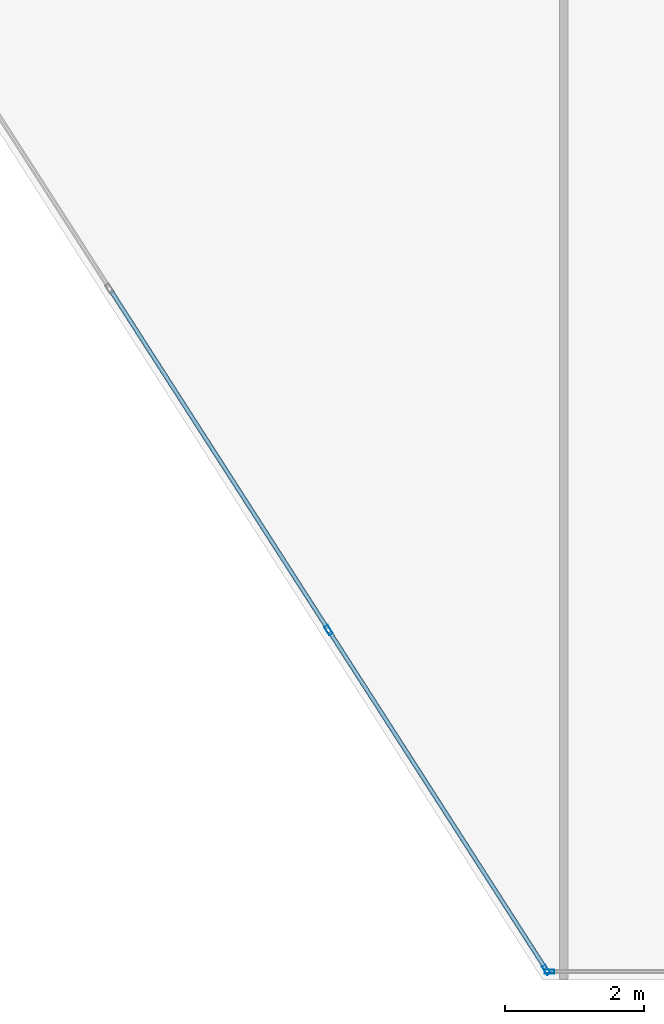
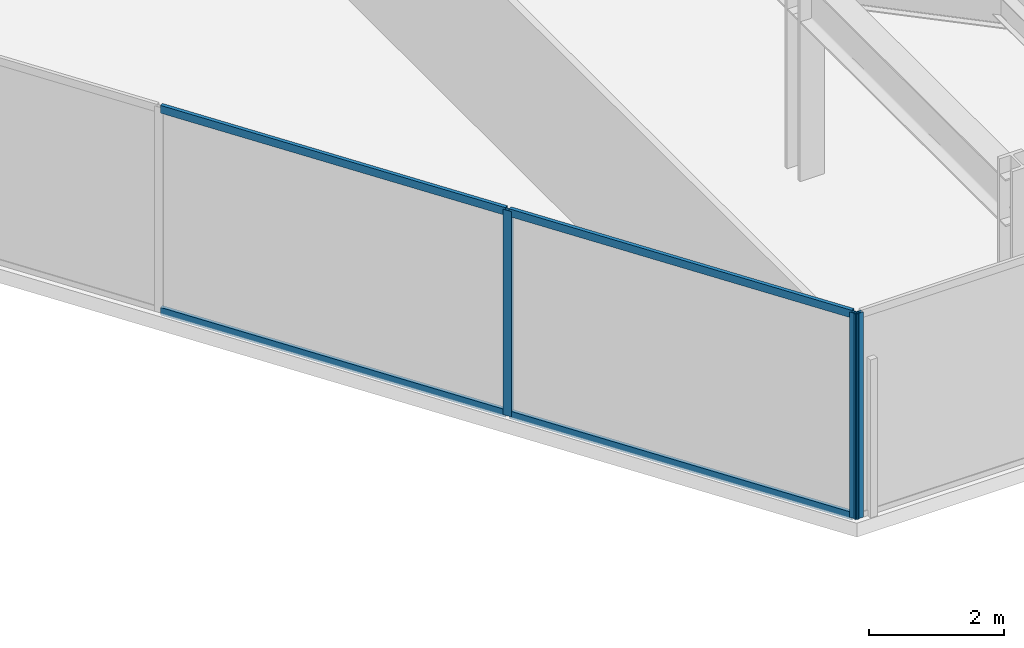
# One storey, part 15 of 26: 7 members, 2 elements without a shape of their own.
"""IFC4 building model written with IfcOpenShell, lengths in metres."""

from ifc_helpers import new_model, si_unit, direction, frame, origin, origin_2d, place, context, subcontext, project, spatial, hollow_rectangle, extrude, material, layer, layer_set, material_profile, profile_set, type_object, element, aggregate, save


model = new_model("IFC4")

# Units and contexts
model_context = context("Model", 3, precision=1e-05, world=origin(), true_north=direction((0.0, 1.0)))
body_context = subcontext(model_context, "Body", "Model", "MODEL_VIEW")
ifc_project = project(units=[si_unit("LENGTHUNIT", "METRE"), si_unit("AREAUNIT", "SQUARE_METRE"), si_unit("VOLUMEUNIT", "CUBIC_METRE"), si_unit("PLANEANGLEUNIT", "RADIAN"), si_unit("MASSUNIT", "GRAM", prefix="KILO")], contexts=[model_context])

# Site, building, storey
site_placement = place(None, origin())
site = spatial("IfcSite", under=ifc_project, at=site_placement, CompositionType="ELEMENT")
building_placement = place(site_placement, origin())
building = spatial("IfcBuilding", under=site, at=building_placement, Name="Kravanh Interchange Tower", CompositionType="ELEMENT")
storey_placement = place(building_placement, frame((0.0, 0.0, 152.0)))
storey = spatial("IfcBuildingStorey", under=building, at=storey_placement, Name="L36", CompositionType="ELEMENT", Elevation=152.0)

# Curtain wall, member
ifc_material_1 = material(Name="Anodised Bronze Aluminium", Category="aluminium")
ifc_layer = layer(ifc_material_1, 0.179931640625)
ifc_layer_set = layer_set([ifc_layer], Name="Unitised Curtain Wall System CW-Z2 Mid Office")
curtain_wall_type = type_object("IfcCurtainWallType", Name="Unitised Curtain Wall System CW-Z2 Mid Office", PredefinedType="NOTDEFINED", material=ifc_layer_set)
curtain_wall_1_placement = place(storey_placement, origin())
curtain_wall_1 = element("IfcCurtainWall", 1, at=curtain_wall_1_placement, inside=storey, type_object=curtain_wall_type, Name="L36 Unitised Curtain Wall CW-L36-03", PredefinedType="NOTDEFINED")
ifc_material_2 = material(Name="Anodised Bronze Aluminium", Category="aluminium")
ifc_material_profile_1 = material_profile(ifc_material_2, hollow_rectangle(XDim=0.06005859375, YDim=0.139892578125, WallThickness=0.00390625, at=origin_2d()), Name="ALU60X140X4")
ifc_profile_set_1 = profile_set([ifc_material_profile_1], Name="Anodised Bronze Aluminium")
member_type_1 = type_object("IfcMemberType", Name="Curtain Wall Mullion ALU60X140X4 Bronze", PredefinedType="MULLION", material=ifc_profile_set_1)
member_1_placement = place(storey_placement, frame((52.195556640625, 6.320068359375, 0.0), z_axis=(0.0, 0.0, 1.0), x_axis=(0.0, -1.0, 0.0)))
member_1 = element("IfcMember", 2, at=member_1_placement, type_object=member_type_1, Name="CW-Z2 mullion 3", PredefinedType="MULLION", context=body_context, shape_type="SweptSolid", body=[
    extrude(hollow_rectangle(XDim=0.06005859375, YDim=0.139892578125, WallThickness=0.00390625, at=origin_2d()), origin(), (0.0, 0.0, 1.0), 3.719970703125),
])
aggregate(curtain_wall_1, [member_1])

# Curtain wall, members
curtain_wall_2_placement = place(storey_placement, origin())
curtain_wall_2 = element("IfcCurtainWall", 3, at=curtain_wall_2_placement, inside=storey, type_object=curtain_wall_type, Name="L36 Unitised Curtain Wall CW-L36-04", PredefinedType="NOTDEFINED")
member_2_placement = place(storey_placement, frame((52.1494140625, 6.34521484375, 0.0), z_axis=(0.0, 0.0, 1.0), x_axis=(-0.841879939476, -0.539664865919, 0.0)))
member_2 = element("IfcMember", 4, at=member_2_placement, type_object=member_type_1, Name="CW-Z2 mullion 1", PredefinedType="MULLION", context=body_context, shape_type="SweptSolid", body=[
    extrude(hollow_rectangle(XDim=0.06005859375, YDim=0.139892578125, WallThickness=0.00390625, at=origin_2d()), origin(), (0.0, 0.0, 1.0), 3.719970703125),
])
member_3_placement = place(storey_placement, frame((49.024169921875, 11.220703125, 0.0), z_axis=(0.0, 0.0, 1.0), x_axis=(-0.841879939476, -0.539664865919, 0.0)))
member_3 = element("IfcMember", 5, at=member_3_placement, type_object=member_type_1, Name="CW-Z2 mullion 2", PredefinedType="MULLION", context=body_context, shape_type="SweptSolid", body=[
    extrude(hollow_rectangle(XDim=0.06005859375, YDim=0.139892578125, WallThickness=0.00390625, at=origin_2d()), origin(), (0.0, 0.0, 1.0), 3.719970703125),
])
ifc_material_3 = material(Name="Anodised Bronze Aluminium", Category="aluminium")
ifc_material_profile_2 = material_profile(ifc_material_3, hollow_rectangle(XDim=0.06005859375, YDim=0.139892578125, WallThickness=0.00390625, at=origin_2d()), Name="ALU60X140X4")
ifc_profile_set_2 = profile_set([ifc_material_profile_2], Name="Anodised Bronze Aluminium")
member_type_2 = type_object("IfcMemberType", Name="Curtain Wall Transom ALU60X140X4 Bronze", PredefinedType="USERDEFINED", material=ifc_profile_set_2)
member_4_placement = place(storey_placement, frame((52.13330078125, 6.37060546875, 0.030029296875), z_axis=(-0.539697855812, 0.841858791266, 0.0), x_axis=(-0.841858791266, -0.539697855812, 0.0)))
member_4 = element("IfcMember", 6, at=member_4_placement, type_object=member_type_2, Name="CW-Z2 transom 1.1", ObjectType="TRANSOM", PredefinedType="USERDEFINED", context=body_context, shape_type="SweptSolid", body=[
    extrude(hollow_rectangle(XDim=0.06005859375, YDim=0.139892578125, WallThickness=0.00390625, at=origin_2d()), origin(), (0.0, 0.0, 1.0), 5.73095703125),
])
member_5_placement = place(storey_placement, frame((52.13330078125, 6.37060546875, 3.68994140625), z_axis=(-0.539697855812, 0.841858791266, 0.0), x_axis=(-0.841858791266, -0.539697855812, 0.0)))
member_5 = element("IfcMember", 7, at=member_5_placement, type_object=member_type_2, Name="CW-Z2 transom 1.2", ObjectType="TRANSOM", PredefinedType="USERDEFINED", context=body_context, shape_type="SweptSolid", body=[
    extrude(hollow_rectangle(XDim=0.06005859375, YDim=0.139892578125, WallThickness=0.00390625, at=origin_2d()), origin(), (0.0, 0.0, 1.0), 5.73095703125),
])
member_6_placement = place(storey_placement, frame((49.008056640625, 11.245849609375, 0.030029296875), z_axis=(-0.539677666788, 0.84187173368, 0.0), x_axis=(-0.84187173368, -0.539677666788, 0.0)))
member_6 = element("IfcMember", 8, at=member_6_placement, type_object=member_type_2, Name="CW-Z2 transom 2.1", ObjectType="TRANSOM", PredefinedType="USERDEFINED", context=body_context, shape_type="SweptSolid", body=[
    extrude(hollow_rectangle(XDim=0.06005859375, YDim=0.139892578125, WallThickness=0.00390625, at=origin_2d()), origin(), (0.0, 0.0, 1.0), 5.760986328125),
])
member_7_placement = place(storey_placement, frame((49.008056640625, 11.245849609375, 3.68994140625), z_axis=(-0.539677666788, 0.84187173368, 0.0), x_axis=(-0.84187173368, -0.539677666788, 0.0)))
member_7 = element("IfcMember", 9, at=member_7_placement, type_object=member_type_2, Name="CW-Z2 transom 2.2", ObjectType="TRANSOM", PredefinedType="USERDEFINED", context=body_context, shape_type="SweptSolid", body=[
    extrude(hollow_rectangle(XDim=0.06005859375, YDim=0.139892578125, WallThickness=0.00390625, at=origin_2d()), origin(), (0.0, 0.0, 1.0), 5.760986328125),
])
aggregate(curtain_wall_2, [member_2, member_3, member_4, member_5, member_6, member_7])

save(model, "model.ifc")
